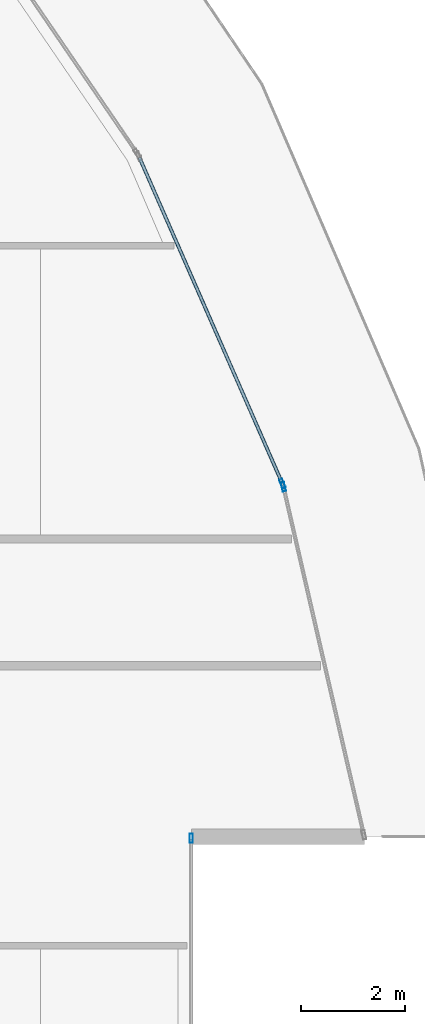
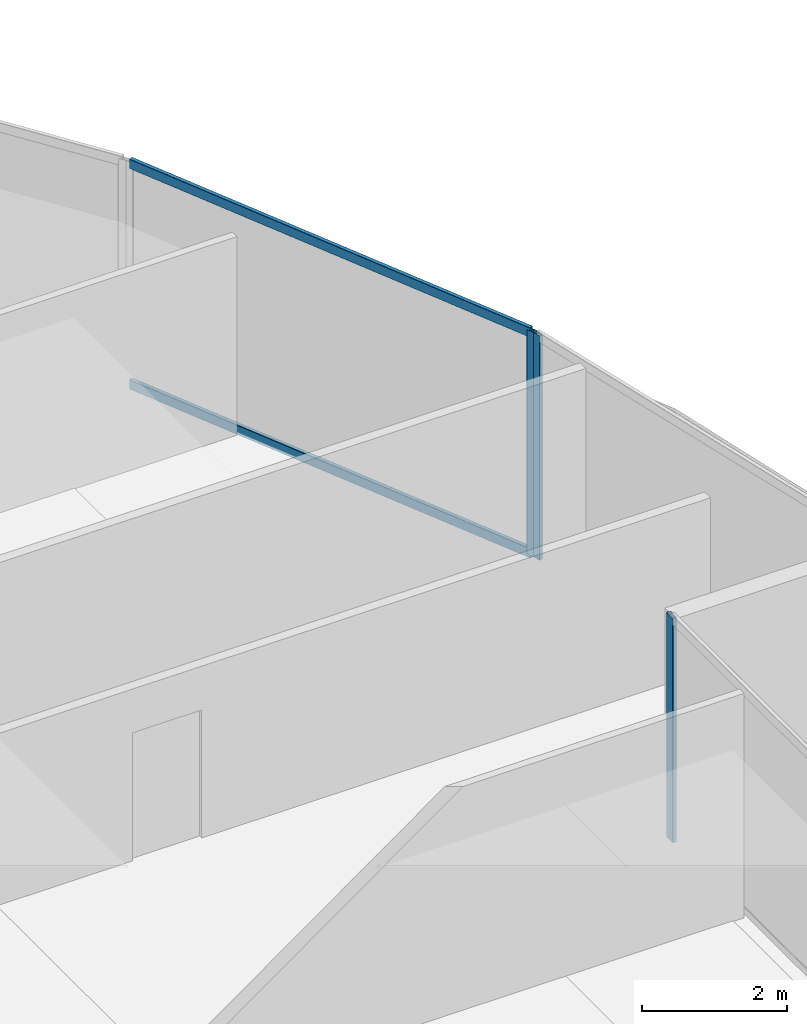
# One storey, part 20 of 44: 5 members, 3 elements without a shape of their own.
"""IFC4 building model written with IfcOpenShell, lengths in metres."""

from ifc_helpers import new_model, si_unit, direction, frame, origin, origin_2d, place, context, subcontext, project, spatial, hollow_rectangle, extrude, material, layer, layer_set, material_profile, profile_set, type_object, element, aggregate, save


model = new_model("IFC4")

# Units and contexts
model_context = context("Model", 3, precision=1e-05, world=origin(), true_north=direction((0.0, 1.0)))
body_context = subcontext(model_context, "Body", "Model", "MODEL_VIEW")
ifc_project = project(units=[si_unit("LENGTHUNIT", "METRE"), si_unit("AREAUNIT", "SQUARE_METRE"), si_unit("VOLUMEUNIT", "CUBIC_METRE"), si_unit("PLANEANGLEUNIT", "RADIAN"), si_unit("MASSUNIT", "GRAM", prefix="KILO")], contexts=[model_context])

# Site, building, storey
site_placement = place(None, origin())
site = spatial("IfcSite", under=ifc_project, at=site_placement, CompositionType="ELEMENT")
building_placement = place(site_placement, origin())
building = spatial("IfcBuilding", under=site, at=building_placement, Name="Qorvath Tower", CompositionType="ELEMENT")
storey_placement = place(building_placement, frame((0.0, 0.0, 113.85009765625)))
storey = spatial("IfcBuildingStorey", under=building, at=storey_placement, Name="L25", CompositionType="ELEMENT", Elevation=113.85009765625)

# Curtain wall, member
ifc_material_1 = material(Name="Anodised aluminium and triple low-E glass", Category="aluminium")
ifc_layer = layer(ifc_material_1, 0.179931640625)
ifc_layer_set = layer_set([ifc_layer], Name="CW-SYS-2")
curtain_wall_type = type_object("IfcCurtainWallType", Name="CW-SYS-2", PredefinedType="NOTDEFINED", material=ifc_layer_set)
curtain_wall_1_placement = place(storey_placement, origin())
curtain_wall_1 = element("IfcCurtainWall", 1, at=curtain_wall_1_placement, inside=storey, type_object=curtain_wall_type, Name="Curtain Wall CW-2 CW-T-L25-9.1", PredefinedType="NOTDEFINED")
ifc_material_2 = material(Name="Anodised aluminium 6063-T6", Category="aluminium")
ifc_material_profile_1 = material_profile(ifc_material_2, hollow_rectangle(XDim=0.06494140625, YDim=0.179931640625, WallThickness=0.00341796875, InnerFilletRadius=0.00341796875, OuterFilletRadius=0.007080078125, at=origin_2d()), Name="CWM 180x65")
ifc_profile_set_1 = profile_set([ifc_material_profile_1], Name="Anodised aluminium 6063-T6")
member_type_1 = type_object("IfcMemberType", Name="CWM-180", PredefinedType="MULLION", material=ifc_profile_set_1)
member_1_placement = place(storey_placement, frame((1.648681640625, 4.978759765625, 0.0), z_axis=(0.0, 0.0, 1.0), x_axis=(-1.0, 0.0, 0.0)))
member_1 = element("IfcMember", 2, at=member_1_placement, type_object=member_type_1, Name="CW-2 mullion 3", PredefinedType="MULLION", context=body_context, shape_type="SweptSolid", body=[
    extrude(hollow_rectangle(XDim=0.06494140625, YDim=0.179931640625, WallThickness=0.00341796875, InnerFilletRadius=0.00341796875, OuterFilletRadius=0.007080078125, at=origin_2d()), origin(), (0.0, 0.0, 1.0), 3.77001953125),
])
aggregate(curtain_wall_1, [member_1])

curtain_wall_2_placement = place(storey_placement, origin())
curtain_wall_2 = element("IfcCurtainWall", 3, at=curtain_wall_2_placement, inside=storey, type_object=curtain_wall_type, Name="Curtain Wall CW-2 CW-T-L25-11.1", PredefinedType="NOTDEFINED")
member_2_placement = place(storey_placement, frame((3.427734375, 11.76806640625, 0.0), z_axis=(0.0, 0.0, 1.0), x_axis=(-0.974312521641, -0.225200155801, 0.0)))
member_2 = element("IfcMember", 4, at=member_2_placement, type_object=member_type_1, Name="CW-2 mullion 2", PredefinedType="MULLION", context=body_context, shape_type="SweptSolid", body=[
    extrude(hollow_rectangle(XDim=0.06494140625, YDim=0.179931640625, WallThickness=0.00341796875, InnerFilletRadius=0.00341796875, OuterFilletRadius=0.007080078125, at=origin_2d()), origin(), (0.0, 0.0, 1.0), 3.77001953125),
])
aggregate(curtain_wall_2, [member_2])

# Curtain wall, members
curtain_wall_3_placement = place(storey_placement, origin())
curtain_wall_3 = element("IfcCurtainWall", 5, at=curtain_wall_3_placement, inside=storey, type_object=curtain_wall_type, Name="Curtain Wall CW-2 CW-T-L25-12.1", PredefinedType="NOTDEFINED")
member_3_placement = place(storey_placement, frame((3.4072265625, 11.82958984375, 0.0), z_axis=(0.0, 0.0, 1.0), x_axis=(-0.915821362935, -0.401585895161, 0.0)))
member_3 = element("IfcMember", 6, at=member_3_placement, type_object=member_type_1, Name="CW-2 mullion 1", PredefinedType="MULLION", context=body_context, shape_type="SweptSolid", body=[
    extrude(hollow_rectangle(XDim=0.06494140625, YDim=0.179931640625, WallThickness=0.00341796875, InnerFilletRadius=0.00341796875, OuterFilletRadius=0.007080078125, at=origin_2d()), origin(), (0.0, 0.0, 1.0), 3.77001953125),
])
ifc_material_3 = material(Name="Anodised aluminium 6063-T6", Category="aluminium")
ifc_material_profile_2 = material_profile(ifc_material_3, hollow_rectangle(XDim=0.06494140625, YDim=0.159912109375, WallThickness=0.00341796875, InnerFilletRadius=0.00341796875, OuterFilletRadius=0.007080078125, at=origin_2d()), Name="CWT 160x65")
ifc_profile_set_2 = profile_set([ifc_material_profile_2], Name="Anodised aluminium 6063-T6")
member_type_2 = type_object("IfcMemberType", Name="CWT-160", PredefinedType="USERDEFINED", material=ifc_profile_set_2)
member_4_placement = place(storey_placement, frame((3.394287109375, 11.859375, 0.032470703125), z_axis=(-0.401584791329, 0.915821846962, 0.0), x_axis=(-0.915821846962, -0.401584791329, 0.0)))
member_4 = element("IfcMember", 7, at=member_4_placement, type_object=member_type_2, Name="CW-2 transom 1.1", ObjectType="TRANSOM", PredefinedType="USERDEFINED", context=body_context, shape_type="SweptSolid", body=[
    extrude(hollow_rectangle(XDim=0.06494140625, YDim=0.159912109375, WallThickness=0.00341796875, InnerFilletRadius=0.00341796875, OuterFilletRadius=0.007080078125, at=origin_2d()), origin(), (0.0, 0.0, 1.0), 6.837646484375),
])
member_5_placement = place(storey_placement, frame((3.394287109375, 11.859375, 3.737548828125), z_axis=(-0.401584791329, 0.915821846962, 0.0), x_axis=(-0.915821846962, -0.401584791329, 0.0)))
member_5 = element("IfcMember", 8, at=member_5_placement, type_object=member_type_2, Name="CW-2 transom 1.2", ObjectType="TRANSOM", PredefinedType="USERDEFINED", context=body_context, shape_type="SweptSolid", body=[
    extrude(hollow_rectangle(XDim=0.06494140625, YDim=0.159912109375, WallThickness=0.00341796875, InnerFilletRadius=0.00341796875, OuterFilletRadius=0.007080078125, at=origin_2d()), origin(), (0.0, 0.0, 1.0), 6.837646484375),
])
aggregate(curtain_wall_3, [member_3, member_4, member_5])

save(model, "model.ifc")
